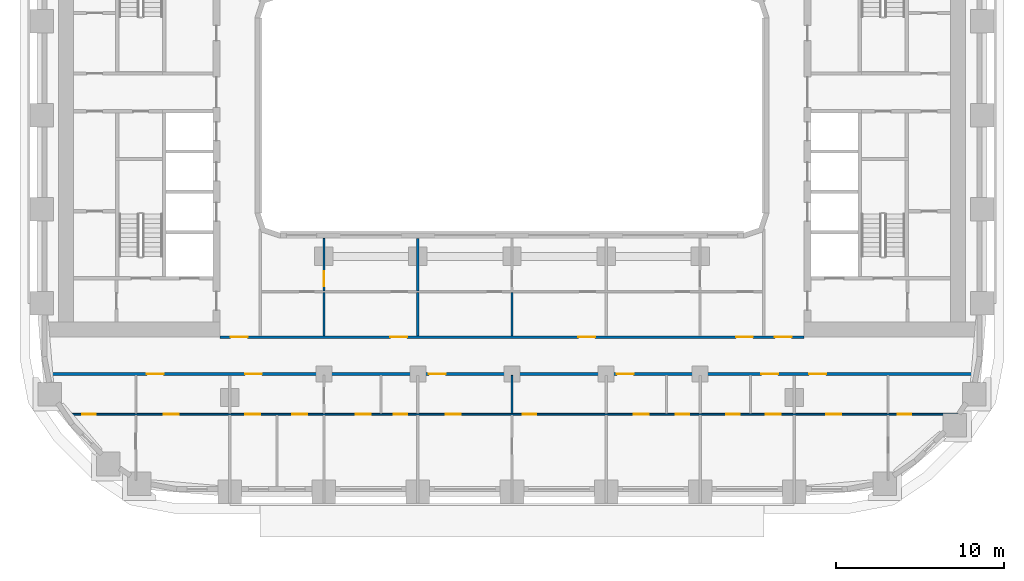
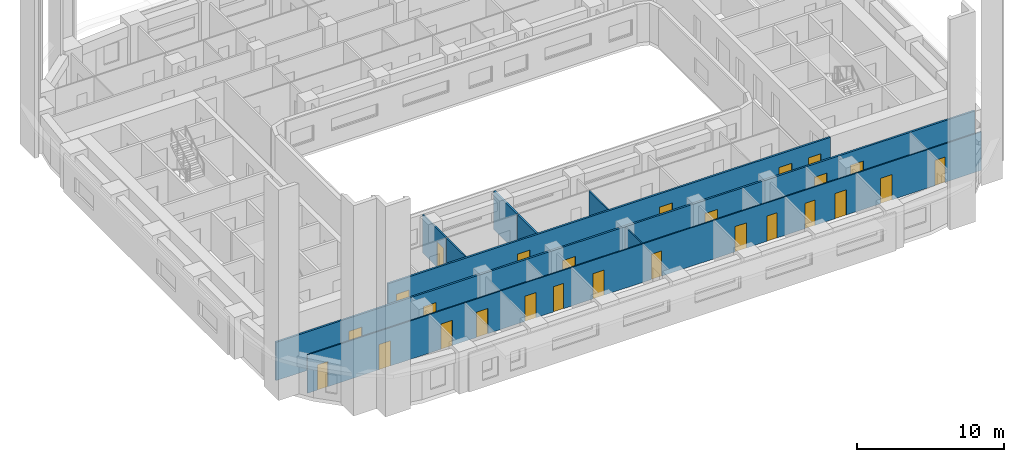
# One storey, part 3 of 22: 26 doors, 9 walls, 26 openings.
"""IFC4 building model written with IfcOpenShell, lengths in metres."""

from ifc_helpers import new_model, si_unit, direction, frame, frame_2d, origin, place, context, subcontext, project, spatial, rectangle, extrude, material, layer, layer_set, type_object, element, fill, save


model = new_model("IFC4")

# Units and contexts
model_context = context("Model", 3, precision=1e-05, world=origin(), true_north=direction((0.0, 1.0)))
body_context = subcontext(model_context, "Body", "Model", "MODEL_VIEW")
ifc_project = project(units=[si_unit("LENGTHUNIT", "METRE"), si_unit("AREAUNIT", "SQUARE_METRE"), si_unit("VOLUMEUNIT", "CUBIC_METRE"), si_unit("PLANEANGLEUNIT", "RADIAN"), si_unit("MASSUNIT", "GRAM", prefix="KILO")], contexts=[model_context])

# Site, building, storey
site_placement = place(None, origin())
site = spatial("IfcSite", under=ifc_project, at=site_placement, CompositionType="ELEMENT")
building_placement = place(site_placement, origin())
building = spatial("IfcBuilding", under=site, at=building_placement, Name="Kiln Ring Residences", CompositionType="ELEMENT")
storey_placement = place(building_placement, frame((0.0, 0.0, 55.0)))
storey = spatial("IfcBuildingStorey", under=building, at=storey_placement, Name="L13", CompositionType="ELEMENT", Elevation=55.0)

# Wall, openings, doors
ifc_material_1 = material(Name="Gypsum board on steel studs", Category="steel")
ifc_layer_1 = layer(ifc_material_1, 0.10009765625)
ifc_layer_set_1 = layer_set([ifc_layer_1], Name="PARTITION-100")
wall_type_1 = type_object("IfcWallType", Name="PARTITION-100", PredefinedType="PARTITIONING", material=ifc_layer_set_1)
wall_1_placement = place(storey_placement, frame((-26.39404296875, -17.800048828125, 0.0), z_axis=(0.0, 0.0, 1.0), x_axis=(1.0, 0.0, 0.0)))
wall_1 = element("IfcWall", 1, at=wall_1_placement, inside=storey, type_object=wall_type_1, Name="Partition 000", PredefinedType="PARTITIONING", context=body_context, shape_type="SweptSolid", body=[
    extrude(rectangle(XDim=53.033935546875, YDim=0.10009765625, at=frame_2d((26.51708984375, 0.0))), origin(), (0.0, 0.0, 1.0), 3.199951171875),
])
opening_1_placement = place(wall_1_placement, frame((0.7939453125, 0.0, 0.0)))
opening_1 = element("IfcOpeningElement", 2, at=opening_1_placement, cuts=wall_1, Name="Opening L13-D054", PredefinedType="OPENING", context=body_context, shape_type="SweptSolid", body=[
    extrude(rectangle(XDim=0.800048828125, YDim=2.10009765625, at=frame_2d((0.39990234375, 1.050048828125))), frame((0.0, 0.06005859375, 0.0), z_axis=(0.0, -1.0, 0.0), x_axis=(1.0, 0.0, 0.0)), (0.0, 0.0, 1.0), 0.1201171875),
])
opening_2_placement = place(wall_1_placement, frame((5.64404296875, 0.0, 0.0)))
opening_2 = element("IfcOpeningElement", 3, at=opening_2_placement, cuts=wall_1, Name="Opening L13-D055", PredefinedType="OPENING", context=body_context, shape_type="SweptSolid", body=[
    extrude(rectangle(XDim=0.89990234375, YDim=2.10009765625, at=frame_2d((0.449951171875, 1.050048828125))), frame((0.0, 0.06005859375, 0.0), z_axis=(0.0, -1.0, 0.0), x_axis=(1.0, 0.0, 0.0)), (0.0, 0.0, 1.0), 0.1201171875),
])
opening_3_placement = place(wall_1_placement, frame((19.343994140625, 0.0, 0.0)))
opening_3 = element("IfcOpeningElement", 4, at=opening_3_placement, cuts=wall_1, Name="Opening L13-D059", PredefinedType="OPENING", context=body_context, shape_type="SweptSolid", body=[
    extrude(rectangle(XDim=0.800048828125, YDim=2.10009765625, at=frame_2d((0.39990234375, 1.050048828125))), frame((0.0, 0.06005859375, 0.0), z_axis=(0.0, -1.0, 0.0), x_axis=(1.0, 0.0, 0.0)), (0.0, 0.0, 1.0), 0.1201171875),
])
opening_4_placement = place(wall_1_placement, frame((17.093994140625, 0.0, 0.0)))
opening_4 = element("IfcOpeningElement", 5, at=opening_4_placement, cuts=wall_1, Name="Opening L13-D060", PredefinedType="OPENING", context=body_context, shape_type="SweptSolid", body=[
    extrude(rectangle(XDim=0.89990234375, YDim=2.10009765625, at=frame_2d((0.449951171875, 1.050048828125))), frame((0.0, 0.06005859375, 0.0), z_axis=(0.0, -1.0, 0.0), x_axis=(1.0, 0.0, 0.0)), (0.0, 0.0, 1.0), 0.1201171875),
])
opening_5_placement = place(wall_1_placement, frame((10.493896484375, 0.0, 0.0)))
opening_5 = element("IfcOpeningElement", 6, at=opening_5_placement, cuts=wall_1, Name="Opening L13-D061", PredefinedType="OPENING", context=body_context, shape_type="SweptSolid", body=[
    extrude(rectangle(XDim=0.89990234375, YDim=2.10009765625, at=frame_2d((0.449951171875, 1.050048828125))), frame((0.0, 0.06005859375, 0.0), z_axis=(0.0, -1.0, 0.0), x_axis=(1.0, 0.0, 0.0)), (0.0, 0.0, 1.0), 0.1201171875),
])
opening_6_placement = place(wall_1_placement, frame((13.2939453125, 0.0, 0.0)))
opening_6 = element("IfcOpeningElement", 7, at=opening_6_placement, cuts=wall_1, Name="Opening L13-D062", PredefinedType="OPENING", context=body_context, shape_type="SweptSolid", body=[
    extrude(rectangle(XDim=0.89990234375, YDim=2.10009765625, at=frame_2d((0.449951171875, 1.050048828125))), frame((0.0, 0.06005859375, 0.0), z_axis=(0.0, -1.0, 0.0), x_axis=(1.0, 0.0, 0.0)), (0.0, 0.0, 1.0), 0.1201171875),
])
opening_7_placement = place(wall_1_placement, frame((27.0439453125, 0.0, 0.0)))
opening_7 = element("IfcOpeningElement", 8, at=opening_7_placement, cuts=wall_1, Name="Opening L13-D064", PredefinedType="OPENING", context=body_context, shape_type="SweptSolid", body=[
    extrude(rectangle(XDim=0.800048828125, YDim=2.10009765625, at=frame_2d((0.39990234375, 1.050048828125))), frame((0.0, 0.06005859375, 0.0), z_axis=(0.0, -1.0, 0.0), x_axis=(1.0, 0.0, 0.0)), (0.0, 0.0, 1.0), 0.1201171875),
])
opening_8_placement = place(wall_1_placement, frame((22.444091796875, 0.0, 0.0)))
opening_8 = element("IfcOpeningElement", 9, at=opening_8_placement, cuts=wall_1, Name="Opening L13-D065", PredefinedType="OPENING", context=body_context, shape_type="SweptSolid", body=[
    extrude(rectangle(XDim=0.89990234375, YDim=2.10009765625, at=frame_2d((0.449951171875, 1.050048828125))), frame((0.0, 0.06005859375, 0.0), z_axis=(0.0, -1.0, 0.0), x_axis=(1.0, 0.0, 0.0)), (0.0, 0.0, 1.0), 0.1201171875),
])
opening_9_placement = place(wall_1_placement, frame((36.14404296875, 0.0, 0.0)))
opening_9 = element("IfcOpeningElement", 10, at=opening_9_placement, cuts=wall_1, Name="Opening L13-D068", PredefinedType="OPENING", context=body_context, shape_type="SweptSolid", body=[
    extrude(rectangle(XDim=0.800048828125, YDim=2.10009765625, at=frame_2d((0.39990234375, 1.050048828125))), frame((0.0, 0.06005859375, 0.0), z_axis=(0.0, -1.0, 0.0), x_axis=(1.0, 0.0, 0.0)), (0.0, 0.0, 1.0), 0.1201171875),
])
opening_10_placement = place(wall_1_placement, frame((33.64404296875, 0.0, 0.0)))
opening_10 = element("IfcOpeningElement", 11, at=opening_10_placement, cuts=wall_1, Name="Opening L13-D069", PredefinedType="OPENING", context=body_context, shape_type="SweptSolid", body=[
    extrude(rectangle(XDim=0.89990234375, YDim=2.10009765625, at=frame_2d((0.449951171875, 1.050048828125))), frame((0.0, 0.06005859375, 0.0), z_axis=(0.0, -1.0, 0.0), x_axis=(1.0, 0.0, 0.0)), (0.0, 0.0, 1.0), 0.1201171875),
])
opening_11_placement = place(wall_1_placement, frame((39.14404296875, 0.0, 0.0)))
opening_11 = element("IfcOpeningElement", 12, at=opening_11_placement, cuts=wall_1, Name="Opening L13-D071", PredefinedType="OPENING", context=body_context, shape_type="SweptSolid", body=[
    extrude(rectangle(XDim=0.800048828125, YDim=2.10009765625, at=frame_2d((0.39990234375, 1.050048828125))), frame((0.0, 0.06005859375, 0.0), z_axis=(0.0, -1.0, 0.0), x_axis=(1.0, 0.0, 0.0)), (0.0, 0.0, 1.0), 0.1201171875),
])
opening_12_placement = place(wall_1_placement, frame((41.493896484375, 0.0, 0.0)))
opening_12 = element("IfcOpeningElement", 13, at=opening_12_placement, cuts=wall_1, Name="Opening L13-D072", PredefinedType="OPENING", context=body_context, shape_type="SweptSolid", body=[
    extrude(rectangle(XDim=0.89990234375, YDim=2.10009765625, at=frame_2d((0.449951171875, 1.050048828125))), frame((0.0, 0.06005859375, 0.0), z_axis=(0.0, -1.0, 0.0), x_axis=(1.0, 0.0, 0.0)), (0.0, 0.0, 1.0), 0.1201171875),
])
opening_13_placement = place(wall_1_placement, frame((49.362060546875, 0.0, 0.0)))
opening_13 = element("IfcOpeningElement", 14, at=opening_13_placement, cuts=wall_1, Name="Opening L13-D074", PredefinedType="OPENING", context=body_context, shape_type="SweptSolid", body=[
    extrude(rectangle(XDim=0.800048828125, YDim=2.10009765625, at=frame_2d((0.39990234375, 1.050048828125))), frame((0.0, 0.06005859375, 0.0), z_axis=(0.0, -1.0, 0.0), x_axis=(1.0, 0.0, 0.0)), (0.0, 0.0, 1.0), 0.1201171875),
])
opening_14_placement = place(wall_1_placement, frame((45.093994140625, 0.0, 0.0)))
opening_14 = element("IfcOpeningElement", 15, at=opening_14_placement, cuts=wall_1, Name="Opening L13-D075", PredefinedType="OPENING", context=body_context, shape_type="SweptSolid", body=[
    extrude(rectangle(XDim=0.89990234375, YDim=2.10009765625, at=frame_2d((0.449951171875, 1.050048828125))), frame((0.0, 0.06005859375, 0.0), z_axis=(0.0, -1.0, 0.0), x_axis=(1.0, 0.0, 0.0)), (0.0, 0.0, 1.0), 0.1201171875),
])
ifc_material_2 = material(Name="Timber door leaf", Category="wood")
door_type_1 = type_object("IfcDoorType", Name="FLAT-DOOR-800-PL", OperationType="SINGLE_SWING_LEFT", PredefinedType="DOOR", material=ifc_material_2)
door_1_placement = place(opening_1_placement, origin())
door_1 = element("IfcDoor", 16, at=door_1_placement, inside=storey, type_object=door_type_1, Name="Door L13-D054", OperationType="SINGLE_SWING_RIGHT", OverallHeight=2.10009765625, OverallWidth=0.800048828125, PredefinedType="DOOR", context=body_context, shape_type="SweptSolid", body=[
    extrude(rectangle(XDim=0.800048828125, YDim=2.10009765625, at=frame_2d((0.39990234375, 1.050048828125))), frame((0.0, 0.02490234375, 0.0), z_axis=(0.0, -1.0, 0.0), x_axis=(1.0, 0.0, 0.0)), (0.0, 0.0, 1.0), 0.050048828125),
])
fill(opening_1, door_1)
door_2_placement = place(opening_3_placement, origin())
door_2 = element("IfcDoor", 17, at=door_2_placement, inside=storey, type_object=door_type_1, Name="Door L13-D059", OperationType="SINGLE_SWING_LEFT", OverallHeight=2.10009765625, OverallWidth=0.800048828125, PredefinedType="DOOR", context=body_context, shape_type="SweptSolid", body=[
    extrude(rectangle(XDim=0.800048828125, YDim=2.10009765625, at=frame_2d((0.39990234375, 1.050048828125))), frame((0.0, 0.02490234375, 0.0), z_axis=(0.0, -1.0, 0.0), x_axis=(1.0, 0.0, 0.0)), (0.0, 0.0, 1.0), 0.050048828125),
])
fill(opening_3, door_2)
door_3_placement = place(opening_7_placement, origin())
door_3 = element("IfcDoor", 18, at=door_3_placement, inside=storey, type_object=door_type_1, Name="Door L13-D064", OperationType="SINGLE_SWING_RIGHT", OverallHeight=2.10009765625, OverallWidth=0.800048828125, PredefinedType="DOOR", context=body_context, shape_type="SweptSolid", body=[
    extrude(rectangle(XDim=0.800048828125, YDim=2.10009765625, at=frame_2d((0.39990234375, 1.050048828125))), frame((0.0, 0.02490234375, 0.0), z_axis=(0.0, -1.0, 0.0), x_axis=(1.0, 0.0, 0.0)), (0.0, 0.0, 1.0), 0.050048828125),
])
fill(opening_7, door_3)
door_4_placement = place(opening_9_placement, origin())
door_4 = element("IfcDoor", 19, at=door_4_placement, inside=storey, type_object=door_type_1, Name="Door L13-D068", OperationType="SINGLE_SWING_RIGHT", OverallHeight=2.10009765625, OverallWidth=0.800048828125, PredefinedType="DOOR", context=body_context, shape_type="SweptSolid", body=[
    extrude(rectangle(XDim=0.800048828125, YDim=2.10009765625, at=frame_2d((0.39990234375, 1.050048828125))), frame((0.0, 0.02490234375, 0.0), z_axis=(0.0, -1.0, 0.0), x_axis=(1.0, 0.0, 0.0)), (0.0, 0.0, 1.0), 0.050048828125),
])
fill(opening_9, door_4)
door_5_placement = place(opening_11_placement, origin())
door_5 = element("IfcDoor", 20, at=door_5_placement, inside=storey, type_object=door_type_1, Name="Door L13-D071", OperationType="SINGLE_SWING_LEFT", OverallHeight=2.10009765625, OverallWidth=0.800048828125, PredefinedType="DOOR", context=body_context, shape_type="SweptSolid", body=[
    extrude(rectangle(XDim=0.800048828125, YDim=2.10009765625, at=frame_2d((0.39990234375, 1.050048828125))), frame((0.0, 0.02490234375, 0.0), z_axis=(0.0, -1.0, 0.0), x_axis=(1.0, 0.0, 0.0)), (0.0, 0.0, 1.0), 0.050048828125),
])
fill(opening_11, door_5)
door_6_placement = place(opening_13_placement, origin())
door_6 = element("IfcDoor", 21, at=door_6_placement, inside=storey, type_object=door_type_1, Name="Door L13-D074", OperationType="SINGLE_SWING_RIGHT", OverallHeight=2.10009765625, OverallWidth=0.800048828125, PredefinedType="DOOR", context=body_context, shape_type="SweptSolid", body=[
    extrude(rectangle(XDim=0.800048828125, YDim=2.10009765625, at=frame_2d((0.39990234375, 1.050048828125))), frame((0.0, 0.02490234375, 0.0), z_axis=(0.0, -1.0, 0.0), x_axis=(1.0, 0.0, 0.0)), (0.0, 0.0, 1.0), 0.050048828125),
])
fill(opening_13, door_6)
ifc_material_3 = material(Name="Timber door leaf", Category="wood")
door_type_2 = type_object("IfcDoorType", Name="FLAT-DOOR-900-PL", OperationType="SINGLE_SWING_LEFT", PredefinedType="DOOR", material=ifc_material_3)
door_7_placement = place(opening_2_placement, origin())
door_7 = element("IfcDoor", 22, at=door_7_placement, inside=storey, type_object=door_type_2, Name="Door L13-D055", OperationType="SINGLE_SWING_LEFT", OverallHeight=2.10009765625, OverallWidth=0.89990234375, PredefinedType="DOOR", context=body_context, shape_type="SweptSolid", body=[
    extrude(rectangle(XDim=0.89990234375, YDim=2.10009765625, at=frame_2d((0.449951171875, 1.050048828125))), frame((0.0, 0.02490234375, 0.0), z_axis=(0.0, -1.0, 0.0), x_axis=(1.0, 0.0, 0.0)), (0.0, 0.0, 1.0), 0.050048828125),
])
fill(opening_2, door_7)
door_8_placement = place(opening_4_placement, origin())
door_8 = element("IfcDoor", 23, at=door_8_placement, inside=storey, type_object=door_type_2, Name="Door L13-D060", OperationType="SINGLE_SWING_RIGHT", OverallHeight=2.10009765625, OverallWidth=0.89990234375, PredefinedType="DOOR", context=body_context, shape_type="SweptSolid", body=[
    extrude(rectangle(XDim=0.89990234375, YDim=2.10009765625, at=frame_2d((0.449951171875, 1.050048828125))), frame((0.0, 0.02490234375, 0.0), z_axis=(0.0, -1.0, 0.0), x_axis=(1.0, 0.0, 0.0)), (0.0, 0.0, 1.0), 0.050048828125),
])
fill(opening_4, door_8)
door_9_placement = place(opening_5_placement, origin())
door_9 = element("IfcDoor", 24, at=door_9_placement, inside=storey, type_object=door_type_2, Name="Door L13-D061", OperationType="SINGLE_SWING_LEFT", OverallHeight=2.10009765625, OverallWidth=0.89990234375, PredefinedType="DOOR", context=body_context, shape_type="SweptSolid", body=[
    extrude(rectangle(XDim=0.89990234375, YDim=2.10009765625, at=frame_2d((0.449951171875, 1.050048828125))), frame((0.0, 0.02490234375, 0.0), z_axis=(0.0, -1.0, 0.0), x_axis=(1.0, 0.0, 0.0)), (0.0, 0.0, 1.0), 0.050048828125),
])
fill(opening_5, door_9)
door_10_placement = place(opening_6_placement, origin())
door_10 = element("IfcDoor", 25, at=door_10_placement, inside=storey, type_object=door_type_2, Name="Door L13-D062", OperationType="SINGLE_SWING_RIGHT", OverallHeight=2.10009765625, OverallWidth=0.89990234375, PredefinedType="DOOR", context=body_context, shape_type="SweptSolid", body=[
    extrude(rectangle(XDim=0.89990234375, YDim=2.10009765625, at=frame_2d((0.449951171875, 1.050048828125))), frame((0.0, 0.02490234375, 0.0), z_axis=(0.0, -1.0, 0.0), x_axis=(1.0, 0.0, 0.0)), (0.0, 0.0, 1.0), 0.050048828125),
])
fill(opening_6, door_10)
door_11_placement = place(opening_8_placement, origin())
door_11 = element("IfcDoor", 26, at=door_11_placement, inside=storey, type_object=door_type_2, Name="Door L13-D065", OperationType="SINGLE_SWING_LEFT", OverallHeight=2.10009765625, OverallWidth=0.89990234375, PredefinedType="DOOR", context=body_context, shape_type="SweptSolid", body=[
    extrude(rectangle(XDim=0.89990234375, YDim=2.10009765625, at=frame_2d((0.449951171875, 1.050048828125))), frame((0.0, 0.02490234375, 0.0), z_axis=(0.0, -1.0, 0.0), x_axis=(1.0, 0.0, 0.0)), (0.0, 0.0, 1.0), 0.050048828125),
])
fill(opening_8, door_11)
door_12_placement = place(opening_10_placement, origin())
door_12 = element("IfcDoor", 27, at=door_12_placement, inside=storey, type_object=door_type_2, Name="Door L13-D069", OperationType="SINGLE_SWING_RIGHT", OverallHeight=2.10009765625, OverallWidth=0.89990234375, PredefinedType="DOOR", context=body_context, shape_type="SweptSolid", body=[
    extrude(rectangle(XDim=0.89990234375, YDim=2.10009765625, at=frame_2d((0.449951171875, 1.050048828125))), frame((0.0, 0.02490234375, 0.0), z_axis=(0.0, -1.0, 0.0), x_axis=(1.0, 0.0, 0.0)), (0.0, 0.0, 1.0), 0.050048828125),
])
fill(opening_10, door_12)
door_13_placement = place(opening_12_placement, origin())
door_13 = element("IfcDoor", 28, at=door_13_placement, inside=storey, type_object=door_type_2, Name="Door L13-D072", OperationType="SINGLE_SWING_RIGHT", OverallHeight=2.10009765625, OverallWidth=0.89990234375, PredefinedType="DOOR", context=body_context, shape_type="SweptSolid", body=[
    extrude(rectangle(XDim=0.89990234375, YDim=2.10009765625, at=frame_2d((0.449951171875, 1.050048828125))), frame((0.0, 0.02490234375, 0.0), z_axis=(0.0, -1.0, 0.0), x_axis=(1.0, 0.0, 0.0)), (0.0, 0.0, 1.0), 0.050048828125),
])
fill(opening_12, door_13)
door_14_placement = place(opening_14_placement, origin())
door_14 = element("IfcDoor", 29, at=door_14_placement, inside=storey, type_object=door_type_2, Name="Door L13-D075", OperationType="SINGLE_SWING_LEFT", OverallHeight=2.10009765625, OverallWidth=0.89990234375, PredefinedType="DOOR", context=body_context, shape_type="SweptSolid", body=[
    extrude(rectangle(XDim=0.89990234375, YDim=2.10009765625, at=frame_2d((0.449951171875, 1.050048828125))), frame((0.0, 0.02490234375, 0.0), z_axis=(0.0, -1.0, 0.0), x_axis=(1.0, 0.0, 0.0)), (0.0, 0.0, 1.0), 0.050048828125),
])
fill(opening_14, door_14)

# Wall
wall_2_placement = place(storey_placement, frame((-11.199951171875, -13.125, 0.0), z_axis=(0.0, 0.0, 1.0), x_axis=(0.0, 1.0, 0.0)))
element("IfcWall", 30, at=wall_2_placement, inside=storey, type_object=wall_type_1, Name="Partition 022", PredefinedType="PARTITIONING", context=body_context, shape_type="SweptSolid", body=[
    extrude(rectangle(XDim=2.574951171875, YDim=0.10009765625, at=frame_2d((1.28759765625, 0.0))), origin(), (0.0, 0.0, 1.0), 3.199951171875),
])

# Wall, opening, door
wall_3_placement = place(storey_placement, frame((-11.199951171875, -10.449951171875, 0.0), z_axis=(0.0, 0.0, 1.0), x_axis=(0.0, 1.0, 0.0)))
wall_3 = element("IfcWall", 31, at=wall_3_placement, inside=storey, type_object=wall_type_1, Name="Partition 023", PredefinedType="PARTITIONING", context=body_context, shape_type="SweptSolid", body=[
    extrude(rectangle(XDim=3.1298828125, YDim=0.10009765625, at=frame_2d((1.56494140625, 0.0))), origin(), (0.0, 0.0, 1.0), 3.199951171875),
])
opening_15_placement = place(wall_3_placement, frame((0.280029296875, 0.0, 0.0)))
opening_15 = element("IfcOpeningElement", 32, at=opening_15_placement, cuts=wall_3, Name="Opening L13-D044", PredefinedType="OPENING", context=body_context, shape_type="SweptSolid", body=[
    extrude(rectangle(XDim=0.89990234375, YDim=2.10009765625, at=frame_2d((0.449951171875, 1.050048828125))), frame((0.0, 0.06005859375, 0.0), z_axis=(0.0, -1.0, 0.0), x_axis=(1.0, 0.0, 0.0)), (0.0, 0.0, 1.0), 0.1201171875),
])
door_15_placement = place(opening_15_placement, origin())
door_15 = element("IfcDoor", 33, at=door_15_placement, inside=storey, type_object=door_type_2, Name="Door L13-D044", OperationType="SINGLE_SWING_RIGHT", OverallHeight=2.10009765625, OverallWidth=0.89990234375, PredefinedType="DOOR", context=body_context, shape_type="SweptSolid", body=[
    extrude(rectangle(XDim=0.89990234375, YDim=2.10009765625, at=frame_2d((0.449951171875, 1.050048828125))), frame((0.0, 0.02490234375, 0.0), z_axis=(0.0, -1.0, 0.0), x_axis=(1.0, 0.0, 0.0)), (0.0, 0.0, 1.0), 0.050048828125),
])
fill(opening_15, door_15)

# Walls
wall_4_placement = place(storey_placement, frame((0.0, -17.75, 0.0), z_axis=(0.0, 0.0, 1.0), x_axis=(0.0, 1.0, 0.0)))
element("IfcWall", 34, at=wall_4_placement, inside=storey, type_object=wall_type_1, Name="Partition 039", PredefinedType="PARTITIONING", context=body_context, shape_type="SweptSolid", body=[
    extrude(rectangle(XDim=2.27490234375, YDim=0.10009765625, at=frame_2d((1.137451171875, 0.0))), origin(), (0.0, 0.0, 1.0), 3.199951171875),
])
wall_5_placement = place(storey_placement, frame((0.0, -13.125, 0.0), z_axis=(0.0, 0.0, 1.0), x_axis=(0.0, 1.0, 0.0)))
element("IfcWall", 35, at=wall_5_placement, inside=storey, type_object=wall_type_1, Name="Partition 040", PredefinedType="PARTITIONING", context=body_context, shape_type="SweptSolid", body=[
    extrude(rectangle(XDim=2.574951171875, YDim=0.10009765625, at=frame_2d((1.28759765625, 0.0))), origin(), (0.0, 0.0, 1.0), 3.199951171875),
])

# Wall, openings, doors
ifc_material_4 = material(Name="Brick masonry partition", Category="masonry")
ifc_layer_2 = layer(ifc_material_4, 0.14990234375)
ifc_layer_set_2 = layer_set([ifc_layer_2], Name="PARTITION-150-ei60")
wall_type_2 = type_object("IfcWallType", Name="PARTITION-150-ei60", PredefinedType="PARTITIONING", material=ifc_layer_set_2)
wall_6_placement = place(storey_placement, frame((-27.48388671875, -15.39990234375, 0.0), z_axis=(0.0, 0.0, 1.0), x_axis=(1.0, 0.0, 0.0)))
wall_6 = element("IfcWall", 36, at=wall_6_placement, inside=storey, type_object=wall_type_2, Name="Partition 001", PredefinedType="PARTITIONING", context=body_context, shape_type="SweptSolid", body=[
    extrude(rectangle(XDim=54.9677734375, YDim=0.14990234375, at=frame_2d((27.48388671875, 0.0))), origin(), (0.0, 0.0, 1.0), 3.199951171875),
])
opening_16_placement = place(wall_6_placement, frame((5.73388671875, 0.0, 0.0)))
opening_16 = element("IfcOpeningElement", 37, at=opening_16_placement, cuts=wall_6, Name="Opening L13-D053", PredefinedType="OPENING", context=body_context, shape_type="SweptSolid", body=[
    extrude(rectangle(XDim=1.0, YDim=2.10009765625, at=frame_2d((0.5, 1.050048828125))), frame((0.0, 0.0849609375, 0.0), z_axis=(0.0, -1.0, 0.0), x_axis=(1.0, 0.0, 0.0)), (0.0, 0.0, 1.0), 0.169921875),
])
opening_17_placement = place(wall_6_placement, frame((11.583740234375, 0.0, 0.0)))
opening_17 = element("IfcOpeningElement", 38, at=opening_17_placement, cuts=wall_6, Name="Opening L13-D057", PredefinedType="OPENING", context=body_context, shape_type="SweptSolid", body=[
    extrude(rectangle(XDim=1.0, YDim=2.10009765625, at=frame_2d((0.5, 1.050048828125))), frame((0.0, 0.0849609375, 0.0), z_axis=(0.0, -1.0, 0.0), x_axis=(1.0, 0.0, 0.0)), (0.0, 0.0, 1.0), 0.169921875),
])
opening_18_placement = place(wall_6_placement, frame((22.53369140625, 0.0, 0.0)))
opening_18 = element("IfcOpeningElement", 39, at=opening_18_placement, cuts=wall_6, Name="Opening L13-D063", PredefinedType="OPENING", context=body_context, shape_type="SweptSolid", body=[
    extrude(rectangle(XDim=1.0, YDim=2.10009765625, at=frame_2d((0.5, 1.050048828125))), frame((0.0, 0.0849609375, 0.0), z_axis=(0.0, -1.0, 0.0), x_axis=(1.0, 0.0, 0.0)), (0.0, 0.0, 1.0), 0.169921875),
])
opening_19_placement = place(wall_6_placement, frame((33.73388671875, 0.0, 0.0)))
opening_19 = element("IfcOpeningElement", 40, at=opening_19_placement, cuts=wall_6, Name="Opening L13-D067", PredefinedType="OPENING", context=body_context, shape_type="SweptSolid", body=[
    extrude(rectangle(XDim=1.0, YDim=2.10009765625, at=frame_2d((0.5, 1.050048828125))), frame((0.0, 0.0849609375, 0.0), z_axis=(0.0, -1.0, 0.0), x_axis=(1.0, 0.0, 0.0)), (0.0, 0.0, 1.0), 0.169921875),
])
opening_20_placement = place(wall_6_placement, frame((42.333740234375, 0.0, 0.0)))
opening_20 = element("IfcOpeningElement", 41, at=opening_20_placement, cuts=wall_6, Name="Opening L13-D070", PredefinedType="OPENING", context=body_context, shape_type="SweptSolid", body=[
    extrude(rectangle(XDim=1.0, YDim=2.10009765625, at=frame_2d((0.5, 1.050048828125))), frame((0.0, 0.0849609375, 0.0), z_axis=(0.0, -1.0, 0.0), x_axis=(1.0, 0.0, 0.0)), (0.0, 0.0, 1.0), 0.169921875),
])
opening_21_placement = place(wall_6_placement, frame((45.183837890625, 0.0, 0.0)))
opening_21 = element("IfcOpeningElement", 42, at=opening_21_placement, cuts=wall_6, Name="Opening L13-D073", PredefinedType="OPENING", context=body_context, shape_type="SweptSolid", body=[
    extrude(rectangle(XDim=1.0, YDim=2.10009765625, at=frame_2d((0.5, 1.050048828125))), frame((0.0, 0.0849609375, 0.0), z_axis=(0.0, -1.0, 0.0), x_axis=(1.0, 0.0, 0.0)), (0.0, 0.0, 1.0), 0.169921875),
])
ifc_material_5 = material(Name="Steel faced fire door leaf", Category="steel")
door_type_3 = type_object("IfcDoorType", Name="FLAT-DOOR-1000-FR", OperationType="SINGLE_SWING_LEFT", PredefinedType="DOOR", material=ifc_material_5)
door_16_placement = place(opening_16_placement, origin())
door_16 = element("IfcDoor", 43, at=door_16_placement, inside=storey, type_object=door_type_3, Name="Door L13-D053", OperationType="SINGLE_SWING_LEFT", OverallHeight=2.10009765625, OverallWidth=1.0, PredefinedType="DOOR", context=body_context, shape_type="SweptSolid", body=[
    extrude(rectangle(XDim=1.0, YDim=2.10009765625, at=frame_2d((0.5, 1.050048828125))), frame((0.0, 0.02490234375, 0.0), z_axis=(0.0, -1.0, 0.0), x_axis=(1.0, 0.0, 0.0)), (0.0, 0.0, 1.0), 0.050048828125),
])
fill(opening_16, door_16)
door_17_placement = place(opening_17_placement, origin())
door_17 = element("IfcDoor", 44, at=door_17_placement, inside=storey, type_object=door_type_3, Name="Door L13-D057", OperationType="SINGLE_SWING_LEFT", OverallHeight=2.10009765625, OverallWidth=1.0, PredefinedType="DOOR", context=body_context, shape_type="SweptSolid", body=[
    extrude(rectangle(XDim=1.0, YDim=2.10009765625, at=frame_2d((0.5, 1.050048828125))), frame((0.0, 0.02490234375, 0.0), z_axis=(0.0, -1.0, 0.0), x_axis=(1.0, 0.0, 0.0)), (0.0, 0.0, 1.0), 0.050048828125),
])
fill(opening_17, door_17)
door_18_placement = place(opening_18_placement, origin())
door_18 = element("IfcDoor", 45, at=door_18_placement, inside=storey, type_object=door_type_3, Name="Door L13-D063", OperationType="SINGLE_SWING_LEFT", OverallHeight=2.10009765625, OverallWidth=1.0, PredefinedType="DOOR", context=body_context, shape_type="SweptSolid", body=[
    extrude(rectangle(XDim=1.0, YDim=2.10009765625, at=frame_2d((0.5, 1.050048828125))), frame((0.0, 0.02490234375, 0.0), z_axis=(0.0, -1.0, 0.0), x_axis=(1.0, 0.0, 0.0)), (0.0, 0.0, 1.0), 0.050048828125),
])
fill(opening_18, door_18)
door_19_placement = place(opening_19_placement, origin())
door_19 = element("IfcDoor", 46, at=door_19_placement, inside=storey, type_object=door_type_3, Name="Door L13-D067", OperationType="SINGLE_SWING_LEFT", OverallHeight=2.10009765625, OverallWidth=1.0, PredefinedType="DOOR", context=body_context, shape_type="SweptSolid", body=[
    extrude(rectangle(XDim=1.0, YDim=2.10009765625, at=frame_2d((0.5, 1.050048828125))), frame((0.0, 0.02490234375, 0.0), z_axis=(0.0, -1.0, 0.0), x_axis=(1.0, 0.0, 0.0)), (0.0, 0.0, 1.0), 0.050048828125),
])
fill(opening_19, door_19)
door_20_placement = place(opening_20_placement, origin())
door_20 = element("IfcDoor", 47, at=door_20_placement, inside=storey, type_object=door_type_3, Name="Door L13-D070", OperationType="SINGLE_SWING_LEFT", OverallHeight=2.10009765625, OverallWidth=1.0, PredefinedType="DOOR", context=body_context, shape_type="SweptSolid", body=[
    extrude(rectangle(XDim=1.0, YDim=2.10009765625, at=frame_2d((0.5, 1.050048828125))), frame((0.0, 0.02490234375, 0.0), z_axis=(0.0, -1.0, 0.0), x_axis=(1.0, 0.0, 0.0)), (0.0, 0.0, 1.0), 0.050048828125),
])
fill(opening_20, door_20)
door_21_placement = place(opening_21_placement, origin())
door_21 = element("IfcDoor", 48, at=door_21_placement, inside=storey, type_object=door_type_3, Name="Door L13-D073", OperationType="SINGLE_SWING_LEFT", OverallHeight=2.10009765625, OverallWidth=1.0, PredefinedType="DOOR", context=body_context, shape_type="SweptSolid", body=[
    extrude(rectangle(XDim=1.0, YDim=2.10009765625, at=frame_2d((0.5, 1.050048828125))), frame((0.0, 0.02490234375, 0.0), z_axis=(0.0, -1.0, 0.0), x_axis=(1.0, 0.0, 0.0)), (0.0, 0.0, 1.0), 0.050048828125),
])
fill(opening_21, door_21)

wall_7_placement = place(storey_placement, frame((-17.39990234375, -13.199951171875, 0.0), z_axis=(0.0, 0.0, 1.0), x_axis=(1.0, 0.0, 0.0)))
wall_7 = element("IfcWall", 49, at=wall_7_placement, inside=storey, type_object=wall_type_2, Name="Partition 002", PredefinedType="PARTITIONING", context=body_context, shape_type="SweptSolid", body=[
    extrude(rectangle(XDim=34.7998046875, YDim=0.14990234375, at=frame_2d((17.39990234375, 0.0))), origin(), (0.0, 0.0, 1.0), 3.199951171875),
])
opening_22_placement = place(wall_7_placement, frame((0.64990234375, 0.0, 0.0)))
opening_22 = element("IfcOpeningElement", 50, at=opening_22_placement, cuts=wall_7, Name="Opening L13-D003", PredefinedType="OPENING", context=body_context, shape_type="SweptSolid", body=[
    extrude(rectangle(XDim=1.0, YDim=2.10009765625, at=frame_2d((0.5, 1.050048828125))), frame((0.0, 0.0849609375, 0.0), z_axis=(0.0, -1.0, 0.0), x_axis=(1.0, 0.0, 0.0)), (0.0, 0.0, 1.0), 0.169921875),
])
opening_23_placement = place(wall_7_placement, frame((33.050048828125, 0.0, 0.0)))
opening_23 = element("IfcOpeningElement", 51, at=opening_23_placement, cuts=wall_7, Name="Opening L13-D004", PredefinedType="OPENING", context=body_context, shape_type="SweptSolid", body=[
    extrude(rectangle(XDim=1.0, YDim=2.10009765625, at=frame_2d((0.5, 1.050048828125))), frame((0.0, 0.0849609375, 0.0), z_axis=(0.0, -1.0, 0.0), x_axis=(1.0, 0.0, 0.0)), (0.0, 0.0, 1.0), 0.169921875),
])
opening_24_placement = place(wall_7_placement, frame((10.14990234375, 0.0, 0.0)))
opening_24 = element("IfcOpeningElement", 52, at=opening_24_placement, cuts=wall_7, Name="Opening L13-D041", PredefinedType="OPENING", context=body_context, shape_type="SweptSolid", body=[
    extrude(rectangle(XDim=1.0, YDim=2.10009765625, at=frame_2d((0.5, 1.050048828125))), frame((0.0, 0.0849609375, 0.0), z_axis=(0.0, -1.0, 0.0), x_axis=(1.0, 0.0, 0.0)), (0.0, 0.0, 1.0), 0.169921875),
])
opening_25_placement = place(wall_7_placement, frame((21.35009765625, 0.0, 0.0)))
opening_25 = element("IfcOpeningElement", 53, at=opening_25_placement, cuts=wall_7, Name="Opening L13-D045", PredefinedType="OPENING", context=body_context, shape_type="SweptSolid", body=[
    extrude(rectangle(XDim=1.0, YDim=2.10009765625, at=frame_2d((0.5, 1.050048828125))), frame((0.0, 0.0849609375, 0.0), z_axis=(0.0, -1.0, 0.0), x_axis=(1.0, 0.0, 0.0)), (0.0, 0.0, 1.0), 0.169921875),
])
opening_26_placement = place(wall_7_placement, frame((30.75, 0.0, 0.0)))
opening_26 = element("IfcOpeningElement", 54, at=opening_26_placement, cuts=wall_7, Name="Opening L13-D049", PredefinedType="OPENING", context=body_context, shape_type="SweptSolid", body=[
    extrude(rectangle(XDim=1.0, YDim=2.10009765625, at=frame_2d((0.5, 1.050048828125))), frame((0.0, 0.0849609375, 0.0), z_axis=(0.0, -1.0, 0.0), x_axis=(1.0, 0.0, 0.0)), (0.0, 0.0, 1.0), 0.169921875),
])
door_22_placement = place(opening_22_placement, origin())
door_22 = element("IfcDoor", 55, at=door_22_placement, inside=storey, type_object=door_type_3, Name="Door L13-D003", OperationType="SINGLE_SWING_RIGHT", OverallHeight=2.10009765625, OverallWidth=1.0, PredefinedType="DOOR", context=body_context, shape_type="SweptSolid", body=[
    extrude(rectangle(XDim=1.0, YDim=2.10009765625, at=frame_2d((0.5, 1.050048828125))), frame((0.0, 0.02490234375, 0.0), z_axis=(0.0, -1.0, 0.0), x_axis=(1.0, 0.0, 0.0)), (0.0, 0.0, 1.0), 0.050048828125),
])
fill(opening_22, door_22)
door_23_placement = place(opening_23_placement, origin())
door_23 = element("IfcDoor", 56, at=door_23_placement, inside=storey, type_object=door_type_3, Name="Door L13-D004", OperationType="SINGLE_SWING_LEFT", OverallHeight=2.10009765625, OverallWidth=1.0, PredefinedType="DOOR", context=body_context, shape_type="SweptSolid", body=[
    extrude(rectangle(XDim=1.0, YDim=2.10009765625, at=frame_2d((0.5, 1.050048828125))), frame((0.0, 0.02490234375, 0.0), z_axis=(0.0, -1.0, 0.0), x_axis=(1.0, 0.0, 0.0)), (0.0, 0.0, 1.0), 0.050048828125),
])
fill(opening_23, door_23)
door_24_placement = place(opening_24_placement, origin())
door_24 = element("IfcDoor", 57, at=door_24_placement, inside=storey, type_object=door_type_3, Name="Door L13-D041", OperationType="SINGLE_SWING_LEFT", OverallHeight=2.10009765625, OverallWidth=1.0, PredefinedType="DOOR", context=body_context, shape_type="SweptSolid", body=[
    extrude(rectangle(XDim=1.0, YDim=2.10009765625, at=frame_2d((0.5, 1.050048828125))), frame((0.0, 0.02490234375, 0.0), z_axis=(0.0, -1.0, 0.0), x_axis=(1.0, 0.0, 0.0)), (0.0, 0.0, 1.0), 0.050048828125),
])
fill(opening_24, door_24)
door_25_placement = place(opening_25_placement, origin())
door_25 = element("IfcDoor", 58, at=door_25_placement, inside=storey, type_object=door_type_3, Name="Door L13-D045", OperationType="SINGLE_SWING_LEFT", OverallHeight=2.10009765625, OverallWidth=1.0, PredefinedType="DOOR", context=body_context, shape_type="SweptSolid", body=[
    extrude(rectangle(XDim=1.0, YDim=2.10009765625, at=frame_2d((0.5, 1.050048828125))), frame((0.0, 0.02490234375, 0.0), z_axis=(0.0, -1.0, 0.0), x_axis=(1.0, 0.0, 0.0)), (0.0, 0.0, 1.0), 0.050048828125),
])
fill(opening_25, door_25)
door_26_placement = place(opening_26_placement, origin())
door_26 = element("IfcDoor", 59, at=door_26_placement, inside=storey, type_object=door_type_3, Name="Door L13-D049", OperationType="SINGLE_SWING_LEFT", OverallHeight=2.10009765625, OverallWidth=1.0, PredefinedType="DOOR", context=body_context, shape_type="SweptSolid", body=[
    extrude(rectangle(XDim=1.0, YDim=2.10009765625, at=frame_2d((0.5, 1.050048828125))), frame((0.0, 0.02490234375, 0.0), z_axis=(0.0, -1.0, 0.0), x_axis=(1.0, 0.0, 0.0)), (0.0, 0.0, 1.0), 0.050048828125),
])
fill(opening_26, door_26)

# Walls
wall_8_placement = place(storey_placement, frame((-5.60009765625, -13.125, 0.0), z_axis=(0.0, 0.0, 1.0), x_axis=(0.0, 1.0, 0.0)))
element("IfcWall", 60, at=wall_8_placement, inside=storey, type_object=wall_type_2, Name="Partition 033", PredefinedType="PARTITIONING", context=body_context, shape_type="SweptSolid", body=[
    extrude(rectangle(XDim=2.574951171875, YDim=0.14990234375, at=frame_2d((1.28759765625, 0.0))), origin(), (0.0, 0.0, 1.0), 3.199951171875),
])
wall_9_placement = place(storey_placement, frame((-5.60009765625, -10.449951171875, 0.0), z_axis=(0.0, 0.0, 1.0), x_axis=(0.0, 1.0, 0.0)))
element("IfcWall", 61, at=wall_9_placement, inside=storey, type_object=wall_type_2, Name="Partition 034", PredefinedType="PARTITIONING", context=body_context, shape_type="SweptSolid", body=[
    extrude(rectangle(XDim=3.1298828125, YDim=0.14990234375, at=frame_2d((1.56494140625, 0.0))), origin(), (0.0, 0.0, 1.0), 3.199951171875),
])

save(model, "model.ifc")
